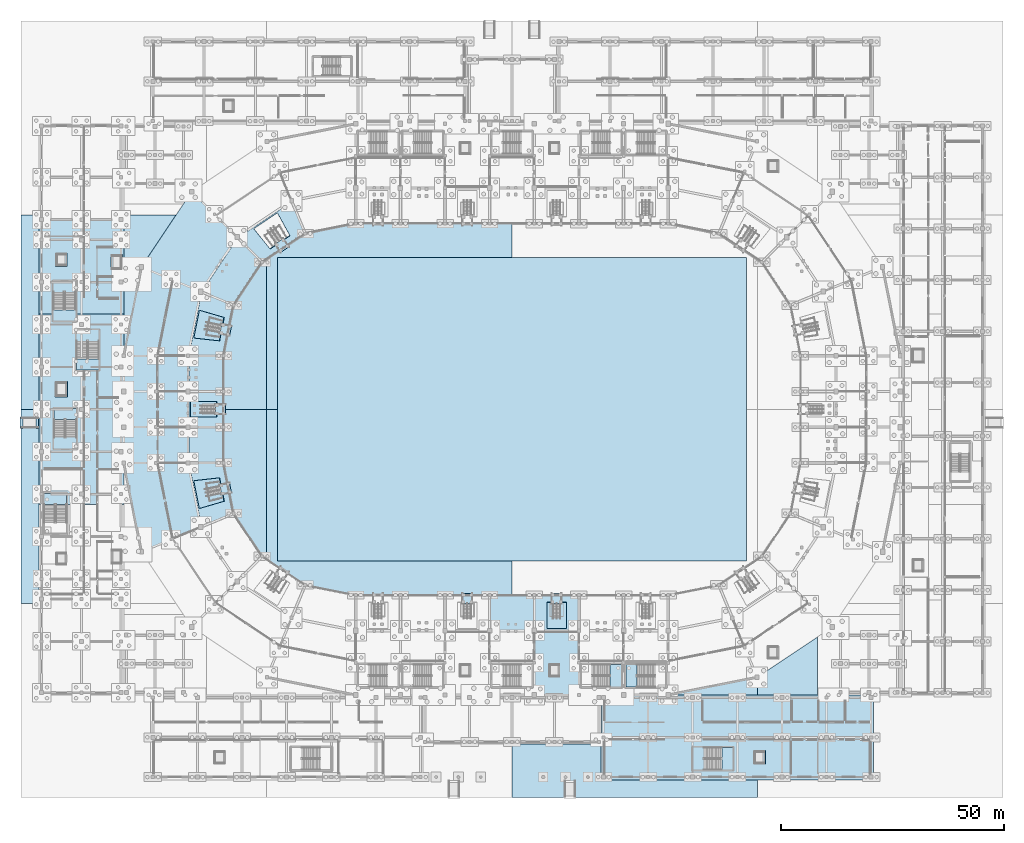
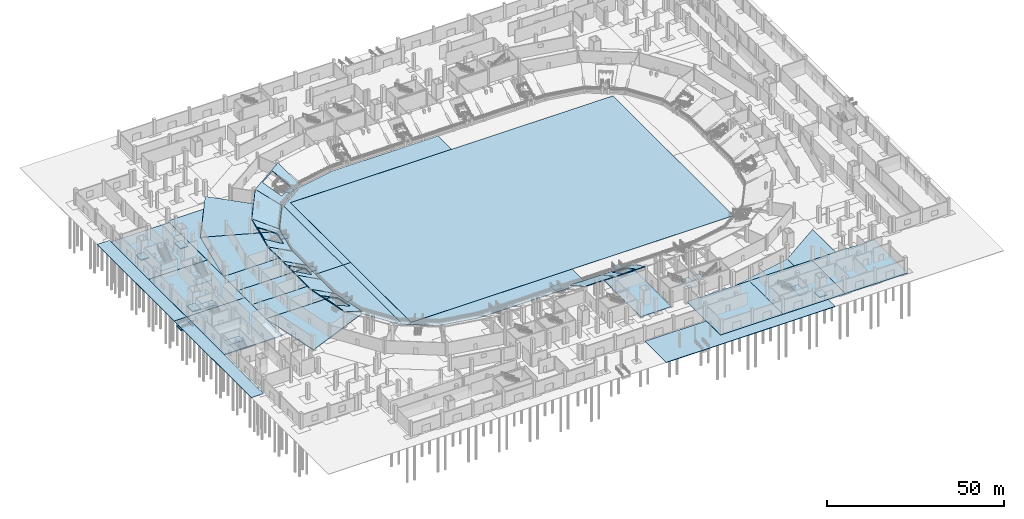
# One storey, part 20 of 68: 52 slabs, 13 elements without a shape of their own.
"""IFC4 building model written with IfcOpenShell, lengths in metres."""

from ifc_helpers import new_model, si_unit, direction, frame, origin, place, context, subcontext, project, spatial, polyline, outline, extrude, material, layer, layer_set, type_object, element, aggregate, save


model = new_model("IFC4")

# Units and contexts
model_context = context("Model", 3, precision=1e-05, world=origin(), true_north=direction((0.0, 1.0)))
body_context = subcontext(model_context, "Body", "Model", "MODEL_VIEW")
ifc_project = project(units=[si_unit("LENGTHUNIT", "METRE"), si_unit("AREAUNIT", "SQUARE_METRE"), si_unit("VOLUMEUNIT", "CUBIC_METRE"), si_unit("PLANEANGLEUNIT", "RADIAN"), si_unit("MASSUNIT", "GRAM", prefix="KILO")], contexts=[model_context])

# Site, building, storey
site_placement = place(None, origin())
site = spatial("IfcSite", under=ifc_project, at=site_placement, CompositionType="ELEMENT")
building_placement = place(site_placement, origin())
building = spatial("IfcBuilding", under=site, at=building_placement, Name="Candeia Ridge Stadium", CompositionType="ELEMENT")
storey_placement = place(building_placement, origin())
storey = spatial("IfcBuildingStorey", under=building, at=storey_placement, Name="L00", CompositionType="ELEMENT", Elevation=0.0)

# Stair, slab
ifc_material_1 = material(Name="Concrete C40/50", Category="concrete")
stair_type_1 = type_object("IfcStairType", Name="Enclosed Core Half-Turn Stair 2450", PredefinedType="HALF_TURN_STAIR", material=ifc_material_1)
stair_1_placement = place(storey_placement, origin())
stair_1 = element("IfcStair", 1, at=stair_1_placement, inside=storey, type_object=stair_type_1, Name="L00 Enclosed exit stair ST03", PredefinedType="HALF_TURN_STAIR")
ifc_layer_1 = layer(ifc_material_1, 0.199951171875, Name="Concrete C40/50", Category="concrete")
ifc_layer_set_1 = layer_set([ifc_layer_1], Name="Concrete C40/50")
slab_type_1 = type_object("IfcSlabType", Name="Core Stair Landing Slab 200", PredefinedType="LANDING", material=ifc_layer_set_1)
slab_1_placement = place(storey_placement, frame((0.0, 0.0, 2.5)))
slab_1 = element("IfcSlab", 2, at=slab_1_placement, type_object=slab_type_1, Name="ST03 landing 1", PredefinedType="LANDING", context=body_context, shape_type="SweptSolid", body=[
    extrude(outline(polyline([(133.989990234375, 25.800048828125), (131.5, 25.800048828125), (131.5, 20.75), (133.989990234375, 20.75), (133.989990234375, 25.800048828125)])), origin(), (0.0, 0.0, 1.0), 0.199951171875),
])
aggregate(stair_1, [slab_1])

stair_2_placement = place(storey_placement, origin())
stair_2 = element("IfcStair", 3, at=stair_2_placement, inside=storey, type_object=stair_type_1, Name="L00 Enclosed exit stair ST05", PredefinedType="HALF_TURN_STAIR")
slab_2_placement = place(storey_placement, frame((0.0, 0.0, 2.5)))
slab_2 = element("IfcSlab", 4, at=slab_2_placement, type_object=slab_type_1, Name="ST05 landing 1", PredefinedType="LANDING", context=body_context, shape_type="SweptSolid", body=[
    extrude(outline(polyline([(6.199951171875, 61.7099609375), (6.199951171875, 64.199951171875), (1.14990234375, 64.199951171875), (1.14990234375, 61.7099609375), (6.199951171875, 61.7099609375)])), origin(), (0.0, 0.0, 1.0), 0.199951171875),
])
aggregate(stair_2, [slab_2])

stair_3_placement = place(storey_placement, origin())
stair_3 = element("IfcStair", 5, at=stair_3_placement, inside=storey, type_object=stair_type_1, Name="L00 Enclosed exit stair ST06", PredefinedType="HALF_TURN_STAIR")
slab_3_placement = place(storey_placement, frame((0.0, 0.0, 2.5)))
slab_3 = element("IfcSlab", 6, at=slab_3_placement, type_object=slab_type_1, Name="ST06 landing 1", PredefinedType="LANDING", context=body_context, shape_type="SweptSolid", body=[
    extrude(outline(polyline([(3.199951171875, 105.2900390625), (3.199951171875, 102.800048828125), (8.25, 102.800048828125), (8.25, 105.2900390625), (3.199951171875, 105.2900390625)])), origin(), (0.0, 0.0, 1.0), 0.199951171875),
])
aggregate(stair_3, [slab_3])

stair_4_placement = place(storey_placement, origin())
stair_4 = element("IfcStair", 7, at=stair_4_placement, inside=storey, type_object=stair_type_1, Name="L00 Enclosed exit stair ST07", PredefinedType="HALF_TURN_STAIR")
slab_4_placement = place(storey_placement, frame((0.0, 0.0, 2.5)))
slab_4 = element("IfcSlab", 8, at=slab_4_placement, type_object=slab_type_1, Name="ST07 landing 1", PredefinedType="LANDING", context=body_context, shape_type="SweptSolid", body=[
    extrude(outline(polyline([(8.39990234375, 80.7099609375), (8.39990234375, 83.199951171875), (3.35009765625, 83.199951171875), (3.35009765625, 80.7099609375), (8.39990234375, 80.7099609375)])), origin(), (0.0, 0.0, 1.0), 0.199951171875),
])
aggregate(stair_4, [slab_4])

stair_5_placement = place(storey_placement, origin())
stair_5 = element("IfcStair", 9, at=stair_5_placement, inside=storey, type_object=stair_type_1, Name="L00 Enclosed exit stair ST08", PredefinedType="HALF_TURN_STAIR")
slab_5_placement = place(storey_placement, frame((0.0, 0.0, 2.5)))
slab_5 = element("IfcSlab", 10, at=slab_5_placement, type_object=slab_type_1, Name="ST08 landing 1", PredefinedType="LANDING", context=body_context, shape_type="SweptSolid", body=[
    extrude(outline(polyline([(8.39990234375, 94.2900390625), (8.39990234375, 91.800048828125), (13.449951171875, 91.800048828125), (13.449951171875, 94.2900390625), (8.39990234375, 94.2900390625)])), origin(), (0.0, 0.0, 1.0), 0.199951171875),
])
aggregate(stair_5, [slab_5])

stair_6_placement = place(storey_placement, origin())
stair_6 = element("IfcStair", 11, at=stair_6_placement, inside=storey, type_object=stair_type_1, Name="L00 Enclosed exit stair ST12", PredefinedType="HALF_TURN_STAIR")
slab_6_placement = place(storey_placement, frame((0.0, 0.0, 2.5)))
slab_6 = element("IfcSlab", 12, at=slab_6_placement, type_object=slab_type_1, Name="ST12 landing 1", PredefinedType="LANDING", context=body_context, shape_type="SweptSolid", body=[
    extrude(outline(polyline([(128.010009765625, 20.800048828125), (130.5, 20.800048828125), (130.5, 25.85009765625), (128.010009765625, 25.85009765625), (128.010009765625, 20.800048828125)])), origin(), (0.0, 0.0, 1.0), 0.199951171875),
])
aggregate(stair_6, [slab_6])

stair_7_placement = place(storey_placement, origin())
stair_7 = element("IfcStair", 13, at=stair_7_placement, inside=storey, type_object=stair_type_1, Name="L00 Enclosed exit stair ST14", PredefinedType="HALF_TURN_STAIR")
slab_7_placement = place(storey_placement, frame((0.0, 0.0, 2.5)))
slab_7 = element("IfcSlab", 14, at=slab_7_placement, type_object=slab_type_1, Name="ST14 landing 1", PredefinedType="LANDING", context=body_context, shape_type="SweptSolid", body=[
    extrude(outline(polyline([(153.010009765625, 2.199951171875), (155.5, 2.199951171875), (155.5, 7.25), (153.010009765625, 7.25), (153.010009765625, 2.199951171875)])), origin(), (0.0, 0.0, 1.0), 0.199951171875),
])
aggregate(stair_7, [slab_7])

ifc_material_2 = material(Name="Precast concrete C45/55", Category="concrete")
stair_type_2 = type_object("IfcStairType", Name="Spectator Vomitory Straight Stair 2200", PredefinedType="STRAIGHT_RUN_STAIR", material=ifc_material_2)
stair_8_placement = place(storey_placement, origin())
stair_8 = element("IfcStair", 15, at=stair_8_placement, inside=storey, type_object=stair_type_2, Name="Vomitory stair VS05", PredefinedType="STRAIGHT_RUN_STAIR")
slab_8_placement = place(storey_placement, frame((0.0, 0.0, 2.0400390625)))
slab_8 = element("IfcSlab", 16, at=slab_8_placement, type_object=slab_type_1, Name="VS05 landing 1", PredefinedType="LANDING", context=body_context, shape_type="SweptSolid", body=[
    extrude(outline(polyline([(54.781982421875, 121.287841796875), (56.0322265625, 119.416748046875), (54.169921875, 118.172119140625), (52.91943359375, 120.04345703125), (54.781982421875, 121.287841796875)])), origin(), (0.0, 0.0, 1.0), 0.199951171875),
])
aggregate(stair_8, [slab_8])

stair_9_placement = place(storey_placement, origin())
stair_9 = element("IfcStair", 17, at=stair_9_placement, inside=storey, type_object=stair_type_2, Name="Vomitory stair VS06", PredefinedType="STRAIGHT_RUN_STAIR")
slab_9_placement = place(storey_placement, frame((0.0, 0.0, 2.0400390625)))
slab_9 = element("IfcSlab", 18, at=slab_9_placement, type_object=slab_type_1, Name="VS06 landing 1", PredefinedType="LANDING", context=body_context, shape_type="SweptSolid", body=[
    extrude(outline(polyline([(40.94384765625, 102.120361328125), (43.151123046875, 101.681396484375), (42.714111328125, 99.484375), (40.5068359375, 99.923583984375), (40.94384765625, 102.120361328125)])), origin(), (0.0, 0.0, 1.0), 0.199951171875),
])
aggregate(stair_9, [slab_9])

stair_10_placement = place(storey_placement, origin())
stair_10 = element("IfcStair", 19, at=stair_10_placement, inside=storey, type_object=stair_type_2, Name="Vomitory stair VS07", PredefinedType="STRAIGHT_RUN_STAIR")
slab_10_placement = place(storey_placement, frame((0.0, 0.0, 2.0400390625)))
slab_10 = element("IfcSlab", 20, at=slab_10_placement, type_object=slab_type_1, Name="VS07 landing 1", PredefinedType="LANDING", context=body_context, shape_type="SweptSolid", body=[
    extrude(outline(polyline([(39.527587890625, 84.1201171875), (41.778076171875, 84.1201171875), (41.778076171875, 81.8798828125), (39.527587890625, 81.8798828125), (39.527587890625, 84.1201171875)])), origin(), (0.0, 0.0, 1.0), 0.199951171875),
])
aggregate(stair_10, [slab_10])

stair_11_placement = place(storey_placement, origin())
stair_11 = element("IfcStair", 21, at=stair_11_placement, inside=storey, type_object=stair_type_2, Name="Vomitory stair VS08", PredefinedType="STRAIGHT_RUN_STAIR")
slab_11_placement = place(storey_placement, frame((0.0, 0.0, 2.0400390625)))
slab_11 = element("IfcSlab", 22, at=slab_11_placement, type_object=slab_type_1, Name="VS08 landing 1", PredefinedType="LANDING", context=body_context, shape_type="SweptSolid", body=[
    extrude(outline(polyline([(40.5068359375, 66.076416015625), (42.714111328125, 66.515625), (43.151123046875, 64.318603515625), (40.94384765625, 63.879638671875), (40.5068359375, 66.076416015625)])), origin(), (0.0, 0.0, 1.0), 0.199951171875),
])
aggregate(stair_11, [slab_11])

stair_12_placement = place(storey_placement, origin())
stair_12 = element("IfcStair", 23, at=stair_12_placement, inside=storey, type_object=stair_type_2, Name="Vomitory stair VS11", PredefinedType="STRAIGHT_RUN_STAIR")
slab_12_placement = place(storey_placement, frame((0.0, 0.0, 2.0400390625)))
slab_12 = element("IfcSlab", 24, at=slab_12_placement, type_object=slab_type_1, Name="VS11 landing 1", PredefinedType="LANDING", context=body_context, shape_type="SweptSolid", body=[
    extrude(outline(polyline([(94.8798828125, 39.527587890625), (94.8798828125, 41.778076171875), (97.1201171875, 41.778076171875), (97.1201171875, 39.527587890625), (94.8798828125, 39.527587890625)])), origin(), (0.0, 0.0, 1.0), 0.199951171875),
])
aggregate(stair_12, [slab_12])

stair_13_placement = place(storey_placement, origin())
stair_13 = element("IfcStair", 25, at=stair_13_placement, inside=storey, type_object=stair_type_2, Name="Vomitory stair VS12", PredefinedType="STRAIGHT_RUN_STAIR")
slab_13_placement = place(storey_placement, frame((0.0, 0.0, 2.0400390625)))
slab_13 = element("IfcSlab", 26, at=slab_13_placement, type_object=slab_type_1, Name="VS12 landing 1", PredefinedType="LANDING", context=body_context, shape_type="SweptSolid", body=[
    extrude(outline(polyline([(114.8798828125, 39.527587890625), (114.8798828125, 41.778076171875), (117.1201171875, 41.778076171875), (117.1201171875, 39.527587890625), (114.8798828125, 39.527587890625)])), origin(), (0.0, 0.0, 1.0), 0.199951171875),
])
aggregate(stair_13, [slab_13])

# Slabs
ifc_material_3 = material(Name="Concrete C35/45", Category="concrete")
ifc_layer_2 = layer(ifc_material_3, 0.18994140625, Name="Concrete C35/45", Category="concrete")
ifc_layer_set_2 = layer_set([ifc_layer_2], Name="Concrete C35/45")
slab_type_2 = type_object("IfcSlabType", Name="Exterior Boulevard Plaza Apron 190", PredefinedType="BASESLAB", material=ifc_layer_set_2)
slab_14_placement = place(storey_placement, frame((0.0, 0.0, -0.18994140625)))
element("IfcSlab", 27, at=slab_14_placement, inside=storey, type_object=slab_type_2, Name="Perimeter boulevard plaza apron SLB-L00-0322", PredefinedType="BASESLAB", context=body_context, shape_type="SweptSolid", body=[
    extrude(outline(polyline([(-4.0, 83.0), (-0.02001953125, 83.0), (-0.02001953125, 39.5), (-4.0, 39.5), (-4.0, 83.0)])), origin(), (0.0, 0.0, 1.0), 0.18994140625),
])
slab_15_placement = place(storey_placement, frame((0.0, 0.0, -0.18994140625)))
element("IfcSlab", 28, at=slab_15_placement, inside=storey, type_object=slab_type_2, Name="Perimeter boulevard plaza apron SLB-L00-0323", PredefinedType="BASESLAB", context=body_context, shape_type="SweptSolid", body=[
    extrude(outline(polyline([(50.083984375, 50.083984375), (43.672119140625, 59.680419921875), (41.419921875, 71.001953125), (41.419921875, 83.0), (51.0, 83.0), (51.0, 49.471923828125), (50.083984375, 50.083984375)])), origin(), (0.0, 0.0, 1.0), 0.18994140625),
])
slab_16_placement = place(storey_placement, frame((0.0, 0.0, -0.18994140625)))
element("IfcSlab", 29, at=slab_16_placement, inside=storey, type_object=slab_type_2, Name="Perimeter boulevard plaza apron SLB-L00-0325", PredefinedType="BASESLAB", context=body_context, shape_type="SweptSolid", body=[
    extrude(outline(polyline([(-4.0, 126.5), (-0.02001953125, 126.5), (-0.02001953125, 83.0), (-4.0, 83.0), (-4.0, 126.5)])), origin(), (0.0, 0.0, 1.0), 0.18994140625),
])
slab_17_placement = place(storey_placement, frame((0.0, 0.0, -0.18994140625)))
element("IfcSlab", 30, at=slab_17_placement, inside=storey, type_object=slab_type_2, Name="Perimeter boulevard plaza apron SLB-L00-0326", PredefinedType="BASESLAB", context=body_context, shape_type="SweptSolid", body=[
    extrude(outline(polyline([(41.419921875, 94.998046875), (43.672119140625, 106.319580078125), (50.083984375, 115.916015625), (51.0, 116.528076171875), (51.0, 83.0), (41.419921875, 83.0), (41.419921875, 94.998046875)])), origin(), (0.0, 0.0, 1.0), 0.18994140625),
])
slab_18_placement = place(storey_placement, frame((0.0, 0.0, -0.18994140625)))
element("IfcSlab", 31, at=slab_18_placement, inside=storey, type_object=slab_type_2, Name="Perimeter boulevard plaza apron SLB-L00-0327", PredefinedType="BASESLAB", context=body_context, shape_type="SweptSolid", body=[
    extrude(outline(polyline([(19.02001953125, 126.5), (30.685302734375, 126.5), (22.941650390625, 114.91064453125), (22.940673828125, 114.908935546875), (22.939697265625, 114.9072265625), (22.939208984375, 114.9052734375), (22.938720703125, 114.9033203125), (19.02001953125, 95.203125), (19.02001953125, 126.5)])), origin(), (0.0, 0.0, 1.0), 0.18994140625),
])
slab_19_placement = place(storey_placement, frame((0.0, 0.0, -0.18994140625)))
element("IfcSlab", 32, at=slab_19_placement, inside=storey, type_object=slab_type_2, Name="Perimeter boulevard plaza apron SLB-L00-0333", PredefinedType="BASESLAB", context=body_context, shape_type="SweptSolid", body=[
    extrude(outline(polyline([(71.001953125, 41.419921875), (59.680419921875, 43.672119140625), (51.0, 49.471923828125), (51.0, 83.0), (53.47998046875, 83.0), (53.47998046875, 49.0), (53.47998046875, 48.998046875), (53.48046875, 48.99609375), (53.48095703125, 48.994140625), (53.4814453125, 48.9921875), (53.482421875, 48.990478515625), (53.4833984375, 48.989013671875), (53.484619140625, 48.9873046875), (53.48583984375, 48.98583984375), (53.4873046875, 48.984619140625), (53.489013671875, 48.9833984375), (53.490478515625, 48.982421875), (53.4921875, 48.9814453125), (53.494140625, 48.98095703125), (53.49609375, 48.98046875), (53.498046875, 48.97998046875), (53.5, 48.97998046875), (106.0, 48.97998046875), (106.0, 41.419921875), (71.001953125, 41.419921875)])), origin(), (0.0, 0.0, 1.0), 0.18994140625),
])
slab_20_placement = place(storey_placement, frame((0.0, 0.0, -0.18994140625)))
element("IfcSlab", 33, at=slab_20_placement, inside=storey, type_object=slab_type_2, Name="Perimeter boulevard plaza apron SLB-L00-0334", PredefinedType="BASESLAB", context=body_context, shape_type="SweptSolid", body=[
    extrude(outline(polyline([(59.680419921875, 122.327880859375), (71.001953125, 124.580078125), (106.0, 124.580078125), (106.0, 117.02001953125), (53.5, 117.02001953125), (53.498046875, 117.02001953125), (53.49609375, 117.01953125), (53.494140625, 117.01904296875), (53.4921875, 117.0185546875), (53.490478515625, 117.017578125), (53.489013671875, 117.0166015625), (53.4873046875, 117.015380859375), (53.48583984375, 117.01416015625), (53.484619140625, 117.0126953125), (53.4833984375, 117.010986328125), (53.482421875, 117.009521484375), (53.4814453125, 117.0078125), (53.48095703125, 117.005859375), (53.48046875, 117.00390625), (53.47998046875, 117.001953125), (53.47998046875, 117.0), (53.47998046875, 83.0), (51.0, 83.0), (51.0, 116.528076171875), (59.680419921875, 122.327880859375)])), origin(), (0.0, 0.0, 1.0), 0.18994140625),
])
slab_21_placement = place(storey_placement, frame((0.0, 0.0, -0.18994140625)))
element("IfcSlab", 34, at=slab_21_placement, inside=storey, type_object=slab_type_2, Name="Perimeter boulevard plaza apron SLB-L00-0337", PredefinedType="BASESLAB", context=body_context, shape_type="SweptSolid", body=[
    extrude(outline(polyline([(106.0, -4.0), (106.0, 7.97998046875), (125.97998046875, 7.97998046875), (125.97998046875, 0.0), (125.97998046875, -0.001953125), (125.98046875, -0.00390625), (125.98095703125, -0.005859375), (125.9814453125, -0.0078125), (125.982421875, -0.009521484375), (125.9833984375, -0.010986328125), (125.984619140625, -0.0126953125), (125.98583984375, -0.01416015625), (125.9873046875, -0.015380859375), (125.989013671875, -0.0166015625), (125.990478515625, -0.017578125), (125.9921875, -0.0185546875), (125.994140625, -0.01904296875), (125.99609375, -0.01953125), (125.998046875, -0.02001953125), (126.0, -0.02001953125), (161.0, -0.02001953125), (161.0, -4.0), (106.0, -4.0)])), origin(), (0.0, 0.0, 1.0), 0.18994140625),
])
slab_22_placement = place(storey_placement, frame((0.0, 0.0, -0.18994140625)))
element("IfcSlab", 35, at=slab_22_placement, inside=storey, type_object=slab_type_2, Name="Perimeter boulevard plaza apron SLB-L00-0338", PredefinedType="BASESLAB", context=body_context, shape_type="SweptSolid", body=[
    extrude(outline(polyline([(141.203125, 19.02001953125), (160.9033203125, 22.938720703125), (160.9052734375, 22.939208984375), (160.9072265625, 22.939697265625), (160.908935546875, 22.940673828125), (160.91064453125, 22.941650390625), (161.0, 23.001220703125), (161.0, 19.02001953125), (141.203125, 19.02001953125)])), origin(), (0.0, 0.0, 1.0), 0.18994140625),
])
slab_23_placement = place(storey_placement, frame((0.0, 0.0, -0.18994140625)))
element("IfcSlab", 36, at=slab_23_placement, inside=storey, type_object=slab_type_2, Name="Perimeter boulevard plaza apron SLB-L00-0345", PredefinedType="BASESLAB", context=body_context, shape_type="SweptSolid", body=[
    extrude(outline(polyline([(161.0, 19.02001953125), (161.0, 23.001220703125), (174.47998046875, 32.00830078125), (174.47998046875, 19.02001953125), (161.0, 19.02001953125)])), origin(), (0.0, 0.0, 1.0), 0.18994140625),
])
ifc_layer_3 = layer(ifc_material_1, 0.300048828125, Name="Concrete C40/50", Category="concrete")
ifc_layer_set_3 = layer_set([ifc_layer_3], Name="Concrete C40/50")
slab_type_3 = type_object("IfcSlabType", Name="Ground Base Slab 300", PredefinedType="BASESLAB", material=ifc_layer_set_3)
slab_24_placement = place(storey_placement, frame((0.0, 0.0, -1.39990234375)))
element("IfcSlab", 37, at=slab_24_placement, inside=storey, type_object=slab_type_3, Name="Lift FF2 pit base slab", PredefinedType="BASESLAB", context=body_context, shape_type="SweptSolid", body=[
    extrude(outline(polyline([(16.10009765625, 114.300048828125), (18.699951171875, 114.300048828125), (18.699951171875, 117.699951171875), (16.10009765625, 117.699951171875), (16.10009765625, 114.300048828125)])), origin(), (0.0, 0.0, 1.0), 0.2998046875),
])
slab_25_placement = place(storey_placement, frame((0.0, 0.0, -1.39990234375)))
element("IfcSlab", 38, at=slab_25_placement, inside=storey, type_object=slab_type_3, Name="Lift VL2 pit base slab", PredefinedType="BASESLAB", context=body_context, shape_type="SweptSolid", body=[
    extrude(outline(polyline([(3.699951171875, 115.0), (6.300048828125, 115.0), (6.300048828125, 118.0), (3.699951171875, 118.0), (3.699951171875, 115.0)])), origin(), (0.0, 0.0, 1.0), 0.2998046875),
])
slab_26_placement = place(storey_placement, frame((0.0, 0.0, -1.39990234375)))
element("IfcSlab", 39, at=slab_26_placement, inside=storey, type_object=slab_type_3, Name="Lift PL6 pit base slab", PredefinedType="BASESLAB", context=body_context, shape_type="SweptSolid", body=[
    extrude(outline(polyline([(160.199951171875, 3.5), (162.800048828125, 3.5), (162.800048828125, 6.5), (160.199951171875, 6.5), (160.199951171875, 3.5)])), origin(), (0.0, 0.0, 1.0), 0.2998046875),
])
slab_27_placement = place(storey_placement, frame((0.0, 0.0, -1.39990234375)))
element("IfcSlab", 40, at=slab_27_placement, inside=storey, type_object=slab_type_3, Name="Lift GL1 pit base slab", PredefinedType="BASESLAB", context=body_context, shape_type="SweptSolid", body=[
    extrude(outline(polyline([(3.60009765625, 85.800048828125), (6.39990234375, 85.800048828125), (6.39990234375, 89.199951171875), (3.60009765625, 89.199951171875), (3.60009765625, 85.800048828125)])), origin(), (0.0, 0.0, 1.0), 0.2998046875),
])
slab_28_placement = place(storey_placement, frame((0.0, 0.0, -0.300048828125)))
element("IfcSlab", 41, at=slab_28_placement, inside=storey, type_object=slab_type_3, Name="Bowl concourse sector slab L00 bay 10 SLB-L00-0010", PredefinedType="BASESLAB", context=body_context, shape_type="SweptSolid", body=[
    extrude(outline(polyline([(50.04736328125, 115.897216796875), (43.6533203125, 106.327392578125), (22.958251953125, 114.8994140625), (34.208251953125, 131.736328125), (50.04736328125, 115.897216796875)])), origin(), (0.0, 0.0, 1.0), 0.300048828125),
])
slab_29_placement = place(storey_placement, frame((0.0, 0.0, -0.300048828125)))
element("IfcSlab", 42, at=slab_29_placement, inside=storey, type_object=slab_type_3, Name="Bowl concourse sector slab L00 bay 11 SLB-L00-0011", PredefinedType="BASESLAB", context=body_context, shape_type="SweptSolid", body=[
    extrude(outline(polyline([(43.6533203125, 106.327392578125), (41.39990234375, 95.0), (19.0, 95.0), (22.958251953125, 114.8994140625), (43.6533203125, 106.327392578125)])), origin(), (0.0, 0.0, 1.0), 0.300048828125),
])
slab_30_placement = place(storey_placement, frame((0.0, 0.0, -0.300048828125)))
element("IfcSlab", 43, at=slab_30_placement, inside=storey, type_object=slab_type_3, Name="Bowl concourse sector slab L00 bay 12 SLB-L00-0012", PredefinedType="BASESLAB", context=body_context, shape_type="SweptSolid", body=[
    extrude(outline(polyline([(41.39990234375, 95.0), (41.39990234375, 87.0), (19.0, 87.0), (19.0, 95.0), (41.39990234375, 95.0)])), origin(), (0.0, 0.0, 1.0), 0.300048828125),
])
slab_31_placement = place(storey_placement, frame((0.0, 0.0, -0.300048828125)))
element("IfcSlab", 44, at=slab_31_placement, inside=storey, type_object=slab_type_3, Name="Bowl concourse sector slab L00 bay 13 SLB-L00-0013", PredefinedType="BASESLAB", context=body_context, shape_type="SweptSolid", body=[
    extrude(outline(polyline([(41.39990234375, 87.0), (41.39990234375, 79.0), (19.0, 79.0), (19.0, 87.0), (41.39990234375, 87.0)])), origin(), (0.0, 0.0, 1.0), 0.300048828125),
])
slab_32_placement = place(storey_placement, frame((0.0, 0.0, -0.300048828125)))
element("IfcSlab", 45, at=slab_32_placement, inside=storey, type_object=slab_type_3, Name="Bowl concourse sector slab L00 bay 14 SLB-L00-0014", PredefinedType="BASESLAB", context=body_context, shape_type="SweptSolid", body=[
    extrude(outline(polyline([(41.39990234375, 79.0), (41.39990234375, 71.0), (19.0, 71.0), (19.0, 79.0), (41.39990234375, 79.0)])), origin(), (0.0, 0.0, 1.0), 0.300048828125),
])
slab_33_placement = place(storey_placement, frame((0.0, 0.0, -0.300048828125)))
element("IfcSlab", 46, at=slab_33_placement, inside=storey, type_object=slab_type_3, Name="Bowl concourse sector slab L00 bay 15 SLB-L00-0015", PredefinedType="BASESLAB", context=body_context, shape_type="SweptSolid", body=[
    extrude(outline(polyline([(41.39990234375, 71.0), (43.6533203125, 59.672607421875), (22.958251953125, 51.1005859375), (19.0, 71.0), (41.39990234375, 71.0)])), origin(), (0.0, 0.0, 1.0), 0.300048828125),
])
slab_34_placement = place(storey_placement, frame((0.0, 0.0, -0.300048828125)))
element("IfcSlab", 47, at=slab_34_placement, inside=storey, type_object=slab_type_3, Name="Bowl concourse sector slab L00 bay 23 SLB-L00-0023", PredefinedType="BASESLAB", context=body_context, shape_type="SweptSolid", body=[
    extrude(outline(polyline([(111.0, 41.39990234375), (121.0, 41.39990234375), (121.0, 19.0), (111.0, 19.0), (111.0, 41.39990234375)])), origin(), (0.0, 0.0, 1.0), 0.300048828125),
])
slab_35_placement = place(storey_placement, frame((0.0, 0.0, -0.300048828125)))
element("IfcSlab", 48, at=slab_35_placement, inside=storey, type_object=slab_type_3, Name="Wing floor slab west SLB-L00-0183", PredefinedType="BASESLAB", context=body_context, shape_type="SweptSolid", body=[
    extrude(outline(polyline([(19.0, 61.666748046875), (19.0, 83.0), (0.0, 83.0), (0.0, 61.666748046875), (19.0, 61.666748046875)])), origin(), (0.0, 0.0, 1.0), 0.300048828125),
])
slab_36_placement = place(storey_placement, frame((0.0, 0.0, -0.300048828125)))
element("IfcSlab", 49, at=slab_36_placement, inside=storey, type_object=slab_type_3, Name="Wing floor slab west SLB-L00-0184", PredefinedType="BASESLAB", context=body_context, shape_type="SweptSolid", body=[
    extrude(outline(polyline([(19.0, 83.0), (19.0, 104.333251953125), (0.0, 104.333251953125), (0.0, 83.0), (19.0, 83.0)])), origin(), (0.0, 0.0, 1.0), 0.300048828125),
])
slab_37_placement = place(storey_placement, frame((0.0, 0.0, -0.300048828125)))
element("IfcSlab", 50, at=slab_37_placement, inside=storey, type_object=slab_type_3, Name="Wing floor slab west SLB-L00-0185", PredefinedType="BASESLAB", context=body_context, shape_type="SweptSolid", body=[
    extrude(outline(polyline([(19.0, 104.333251953125), (19.0, 125.666748046875), (0.0, 125.666748046875), (0.0, 104.333251953125), (19.0, 104.333251953125)])), origin(), (0.0, 0.0, 1.0), 0.300048828125),
])
slab_38_placement = place(storey_placement, frame((0.0, 0.0, -0.300048828125)))
element("IfcSlab", 51, at=slab_38_placement, inside=storey, type_object=slab_type_3, Name="Wing floor slab se_s SLB-L00-0196", PredefinedType="BASESLAB", context=body_context, shape_type="SweptSolid", body=[
    extrude(outline(polyline([(146.333251953125, 0.0), (146.333251953125, 19.0), (126.0, 19.0), (126.0, 0.0), (146.333251953125, 0.0)])), origin(), (0.0, 0.0, 1.0), 0.300048828125),
])
slab_39_placement = place(storey_placement, frame((0.0, 0.0, -0.300048828125)))
element("IfcSlab", 52, at=slab_39_placement, inside=storey, type_object=slab_type_3, Name="Wing floor slab se_s SLB-L00-0197", PredefinedType="BASESLAB", context=body_context, shape_type="SweptSolid", body=[
    extrude(outline(polyline([(166.666748046875, 0.0), (166.666748046875, 19.0), (146.333251953125, 19.0), (146.333251953125, 0.0), (166.666748046875, 0.0)])), origin(), (0.0, 0.0, 1.0), 0.300048828125),
])
slab_40_placement = place(storey_placement, frame((0.0, 0.0, -0.300048828125)))
element("IfcSlab", 53, at=slab_40_placement, inside=storey, type_object=slab_type_3, Name="Wing floor slab se_s SLB-L00-0198", PredefinedType="BASESLAB", context=body_context, shape_type="SweptSolid", body=[
    extrude(outline(polyline([(187.0, 0.0), (187.0, 19.0), (166.666748046875, 19.0), (166.666748046875, 0.0), (187.0, 0.0)])), origin(), (0.0, 0.0, 1.0), 0.300048828125),
])
slab_41_placement = place(storey_placement, frame((0.0, 0.0, -0.820068359375)))
element("IfcSlab", 54, at=slab_41_placement, inside=storey, type_object=slab_type_3, Name="Ramp bot threshold base slab RMP-W1", PredefinedType="BASESLAB", context=body_context, shape_type="SweptSolid", body=[
    extrude(outline(polyline([(-4.25, 78.679931640625), (-3.60009765625, 78.679931640625), (-3.60009765625, 81.320068359375), (-4.25, 81.320068359375), (-4.25, 78.679931640625)])), origin(), (0.0, 0.0, 1.0), 0.51953125),
])
slab_42_placement = place(storey_placement, frame((0.0, 0.0, -0.52001953125)))
element("IfcSlab", 55, at=slab_42_placement, inside=storey, type_object=slab_type_3, Name="Ramp top threshold base slab RMP-W1", PredefinedType="BASESLAB", context=body_context, shape_type="SweptSolid", body=[
    extrude(outline(polyline([(-0.6201171875, 78.679931640625), (-0.159912109375, 78.679931640625), (-0.159912109375, 81.320068359375), (-0.6201171875, 81.320068359375), (-0.6201171875, 78.679931640625)])), origin(), (0.0, 0.0, 1.0), 0.300537109375),
])
ifc_layer_4 = layer(ifc_material_2, 0.219970703125, Name="Precast concrete C45/55", Category="concrete")
ifc_layer_set_4 = layer_set([ifc_layer_4], Name="Precast concrete C45/55")
slab_type_4 = type_object("IfcSlabType", Name="Lower Seating Tier Precast 220", PredefinedType="USERDEFINED", material=ifc_layer_set_4)
slab_43_placement = place(storey_placement, frame((59.673095703125, 122.346923828125, 0.85009765625), z_axis=(0.267354976349, -0.40007469897, 0.876619388256), x_axis=(-0.83144817327, -0.555602317356, 1.0696589e-05)))
element("IfcSlab", 56, at=slab_43_placement, inside=storey, type_object=slab_type_4, Name="Stand Lower Tier Stands Bay 09", ObjectType="SEATING TIER", PredefinedType="USERDEFINED", context=body_context, shape_type="SweptSolid", body=[
    extrude(outline(polyline([(0.0, 0.0), (11.549715272654334, -8.881784197001252e-16), (13.071357187186356, -8.728070071520815), (-1.5216936557355443, -8.726621720218118), (0.0, 0.0)]), holes=[polyline([(3.1001893720788214, -1.745753728325185), (8.449676988773883, -1.7460044197035416), (8.958494390310209, -8.378323095313991), (2.5912201300574864, -8.378534536712223), (3.1001893720788214, -1.745753728325185)])]), origin(), (0.0, 0.0, -1.0), 0.219970703125),
])
slab_44_placement = place(storey_placement, frame((50.070068359375, 115.929931640625, 0.85009765625), z_axis=(0.400146191415, -0.267402742921, 0.876572186745), x_axis=(-0.555602316054, -0.83144817414, -1.0691249e-05)))
element("IfcSlab", 57, at=slab_44_placement, inside=storey, type_object=slab_type_4, Name="Stand Lower Tier Stands Bay 10", ObjectType="SEATING TIER", PredefinedType="USERDEFINED", context=body_context, shape_type="SweptSolid", body=[
    extrude(outline(polyline([(0.0, 0.0), (11.5497152726551, -8.881784197001252e-16), (13.07140892838901, -8.727091653223518), (-1.521641914530392, -8.728540035808216), (0.0, 0.0)])), origin(), (0.0, 0.0, -1.0), 0.219970703125),
])
slab_45_placement = place(storey_placement, frame((43.653076171875, 106.326904296875, 0.85009765625), z_axis=(0.472009207859, -0.093892154148, 0.876579472202), x_axis=(-0.195099226914, -0.980783509067, 8.61451e-07)))
element("IfcSlab", 58, at=slab_45_placement, inside=storey, type_object=slab_type_4, Name="Stand Lower Tier Stands Bay 11", ObjectType="SEATING TIER", PredefinedType="USERDEFINED", context=body_context, shape_type="SweptSolid", body=[
    extrude(outline(polyline([(0.0, 0.0), (11.54883341511964, 4.440892098500626e-16), (13.070572897783089, -8.727018503249294), (-1.5218448154837856, -8.72706529613274), (0.0, 0.0)]), holes=[polyline([(3.098975818880261, -1.745144164007621), (8.448696958250268, -1.7455557495596354), (8.957858697508234, -8.378576757135994), (2.5904498493982855, -8.377786173205848), (3.098975818880261, -1.745144164007621)])]), origin(), (0.0, 0.0, -1.0), 0.219970703125),
])
slab_46_placement = place(storey_placement, frame((41.39990234375, 95.0, 0.85009765625), z_axis=(0.474104753383, 0.0, 0.880468445102), x_axis=(0.0, -1.0, 0.0)))
element("IfcSlab", 59, at=slab_46_placement, inside=storey, type_object=slab_type_4, Name="Stand Lower Tier Stands Bay 12", ObjectType="SEATING TIER", PredefinedType="USERDEFINED", context=body_context, shape_type="SweptSolid", body=[
    extrude(outline(polyline([(0.0, 0.0), (8.0, 0.0), (8.0, -8.858698719861803), (0.0, -8.858698719861803), (0.0, 0.0)])), origin(), (0.0, 0.0, -1.0), 0.219970703125),
])
slab_47_placement = place(storey_placement, frame((41.39990234375, 87.0, 0.85009765625), z_axis=(0.474104753383, 0.0, 0.880468445102), x_axis=(0.0, -1.0, 0.0)))
element("IfcSlab", 60, at=slab_47_placement, inside=storey, type_object=slab_type_4, Name="Stand Lower Tier Stands Bay 13", ObjectType="SEATING TIER", PredefinedType="USERDEFINED", context=body_context, shape_type="SweptSolid", body=[
    extrude(outline(polyline([(0.0, 0.0), (8.0, 0.0), (8.0, -8.858698719861803), (0.0, -8.858698719861803), (0.0, 0.0)]), holes=[polyline([(2.239990234375, -1.7715413201639887), (5.760009765625, -1.7715413201639887), (5.760009765625, -8.50434746420571), (2.239990234375, -8.50434746420571), (2.239990234375, -1.7715413201639887)])]), origin(), (0.0, 0.0, -1.0), 0.219970703125),
])
slab_48_placement = place(storey_placement, frame((41.39990234375, 79.0, 0.85009765625), z_axis=(0.474104753383, 0.0, 0.880468445102), x_axis=(0.0, -1.0, 0.0)))
element("IfcSlab", 61, at=slab_48_placement, inside=storey, type_object=slab_type_4, Name="Stand Lower Tier Stands Bay 14", ObjectType="SEATING TIER", PredefinedType="USERDEFINED", context=body_context, shape_type="SweptSolid", body=[
    extrude(outline(polyline([(0.0, 0.0), (8.0, 0.0), (8.0, -8.858698719861803), (0.0, -8.858698719861803), (0.0, 0.0)])), origin(), (0.0, 0.0, -1.0), 0.219970703125),
])
slab_49_placement = place(storey_placement, frame((41.39990234375, 71.0, 0.85009765625), z_axis=(0.472009207859, 0.093892154148, 0.876579472202), x_axis=(0.195099226914, -0.980783509067, -8.61451e-07)))
element("IfcSlab", 62, at=slab_49_placement, inside=storey, type_object=slab_type_4, Name="Stand Lower Tier Stands Bay 15", ObjectType="SEATING TIER", PredefinedType="USERDEFINED", context=body_context, shape_type="SweptSolid", body=[
    extrude(outline(polyline([(0.0, 0.0), (11.54883341511964, -4.440892098500626e-16), (13.070678230603427, -8.72706529613274), (-1.5217394826634483, -8.727018503249294), (0.0, 0.0)]), holes=[polyline([(3.100136456869372, -1.7455557495596359), (8.449857596239381, -1.7451441640076217), (8.958383565721356, -8.377786173205848), (2.5909747176114055, -8.378576757135994), (3.100136456869372, -1.7455557495596359)])]), origin(), (0.0, 0.0, -1.0), 0.219970703125),
])
slab_50_placement = place(storey_placement, frame((101.0, 41.39990234375, 0.85009765625), z_axis=(0.0, 0.474104753383, 0.880468445102), x_axis=(1.0, 0.0, 0.0)))
element("IfcSlab", 63, at=slab_50_placement, inside=storey, type_object=slab_type_4, Name="Stand Lower Tier Stands Bay 22", ObjectType="SEATING TIER", PredefinedType="USERDEFINED", context=body_context, shape_type="SweptSolid", body=[
    extrude(outline(polyline([(0.0, 0.0), (10.0, 0.0), (10.0, -8.858698719861804), (0.0, -8.858698719861804), (0.0, 0.0)])), origin(), (0.0, 0.0, -1.0), 0.219970703125),
])
slab_51_placement = place(storey_placement, frame((111.0, 41.39990234375, 0.85009765625), z_axis=(0.0, 0.474104753383, 0.880468445102), x_axis=(1.0, 0.0, 0.0)))
element("IfcSlab", 64, at=slab_51_placement, inside=storey, type_object=slab_type_4, Name="Stand Lower Tier Stands Bay 23", ObjectType="SEATING TIER", PredefinedType="USERDEFINED", context=body_context, shape_type="SweptSolid", body=[
    extrude(outline(polyline([(0.0, 0.0), (10.0, 0.0), (10.0, -8.858698719861804), (0.0, -8.858698719861804), (0.0, 0.0)]), holes=[polyline([(2.800048828125, -1.7715413201639891), (7.199951171875, -1.7715413201639891), (7.199951171875, -8.504347464205711), (2.800048828125, -8.504347464205711), (2.800048828125, -1.7715413201639891)])]), origin(), (0.0, 0.0, -1.0), 0.219970703125),
])
ifc_layer_5 = layer(ifc_material_3, 0.2099609375, Name="Concrete C35/45", Category="concrete")
ifc_layer_set_5 = layer_set([ifc_layer_5], Name="Concrete C35/45")
slab_type_5 = type_object("IfcSlabType", Name="Natural Grass Pitch Base 210", PredefinedType="BASESLAB", material=ifc_layer_set_5)
slab_52_placement = place(storey_placement, frame((0.0, 0.0, -0.2099609375)))
element("IfcSlab", 65, at=slab_52_placement, inside=storey, type_object=slab_type_5, Name="Natural grass playing pitch SLB-L00-0318", PredefinedType="BASESLAB", context=body_context, shape_type="SweptSolid", body=[
    extrude(outline(polyline([(158.5, 49.0), (158.5, 117.0), (53.5, 117.0), (53.5, 49.0), (158.5, 49.0)])), origin(), (0.0, 0.0, 1.0), 0.2099609375),
])

save(model, "model.ifc")
